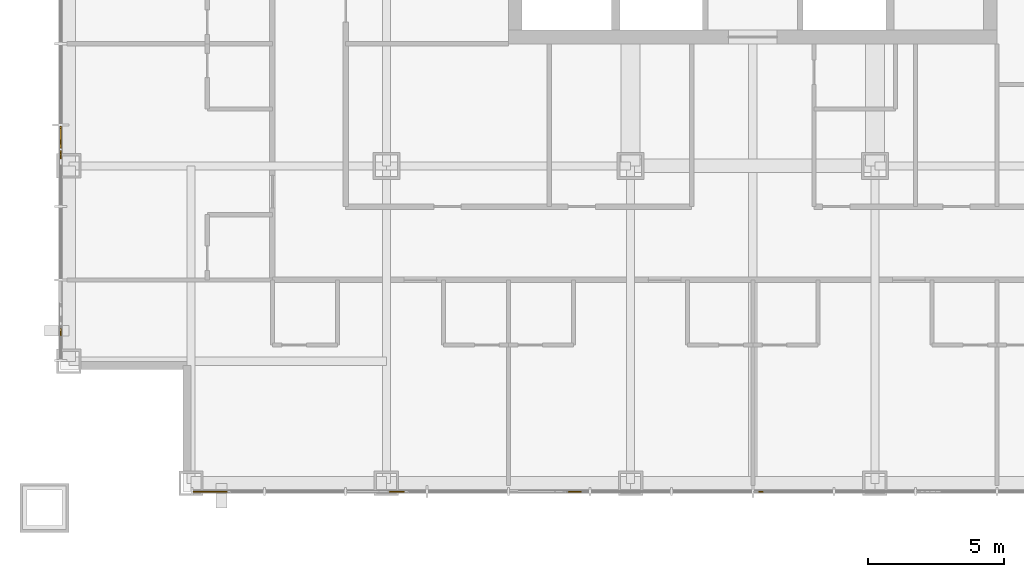
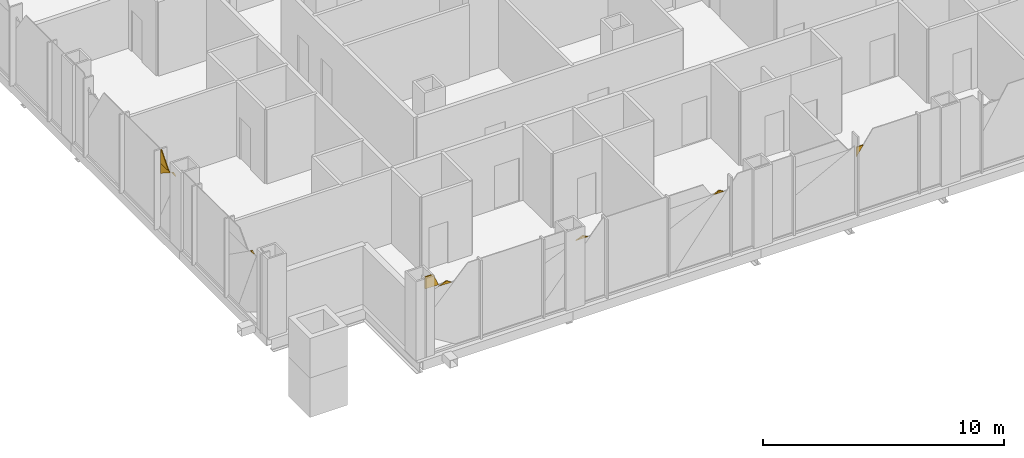
# One storey, part 15 of 23: 9 coverings.
"""IFC4 building model written with IfcOpenShell, lengths in metres."""

from ifc_helpers import new_model, si_unit, direction, frame, origin, place, context, subcontext, project, spatial, polyline, outline, extrude, material, layer, layer_set, type_object, element, save


model = new_model("IFC4")

# Units and contexts
model_context = context("Model", 3, precision=1e-05, world=origin(), true_north=direction((0.0, 1.0)))
body_context = subcontext(model_context, "Body", "Model", "MODEL_VIEW")
ifc_project = project(units=[si_unit("LENGTHUNIT", "METRE"), si_unit("AREAUNIT", "SQUARE_METRE"), si_unit("VOLUMEUNIT", "CUBIC_METRE"), si_unit("PLANEANGLEUNIT", "RADIAN"), si_unit("MASSUNIT", "GRAM", prefix="KILO")], contexts=[model_context])

# Site, building, storey
site_placement = place(None, origin())
site = spatial("IfcSite", under=ifc_project, at=site_placement, CompositionType="ELEMENT")
building_placement = place(site_placement, origin())
building = spatial("IfcBuilding", under=site, at=building_placement, Name="Malebo Sky Hospital", CompositionType="ELEMENT")
storey_placement = place(building_placement, frame((0.0, 0.0, 91.0)))
storey = spatial("IfcBuildingStorey", under=building, at=storey_placement, Name="L21", CompositionType="ELEMENT", Elevation=91.0)

# Coverings
ifc_material = material(Name="Anodised aluminium, natural silver insulated infill panel", Category="aluminium")
ifc_layer = layer(ifc_material, 0.0400390625)
ifc_layer_set = layer_set([ifc_layer], Name="BRACE INFILL PANEL 40")
covering_type = type_object("IfcCoveringType", Name="BRACE INFILL PANEL 40", PredefinedType="CLADDING", material=ifc_layer_set)
covering_1_placement = place(storey_placement, frame((34.5, 42.376220703125, 3.3779296875), z_axis=(0.0, 0.0, 1.0), x_axis=(0.0, 1.0, 0.0)))
element("IfcCovering", 1, at=covering_1_placement, inside=storey, type_object=covering_type, Name="Brace infill panel 1.4", PredefinedType="CLADDING", context=body_context, shape_type="SweptSolid", body=[
    extrude(outline(polyline([(-0.125732421875, 0.0), (0.125732421875, 0.0), (0.0390625, 0.061279296875), (-0.125732421875, 0.0)])), frame((0.0, 0.02001953125, 0.0), z_axis=(0.0, -1.0, 0.0), x_axis=(1.0, 0.0, 0.0)), (0.0, 0.0, 1.0), 0.0400390625),
])
covering_2_placement = place(storey_placement, frame((34.5, 49.560791015625, 2.779296875), z_axis=(0.0, 0.0, 1.0), x_axis=(0.0, 1.0, 0.0)))
element("IfcCovering", 2, at=covering_2_placement, inside=storey, type_object=covering_type, Name="Brace infill panel 3.2", PredefinedType="CLADDING", context=body_context, shape_type="SweptSolid", body=[
    extrude(outline(polyline([(0.401611328125, 0.0), (0.401611328125, 0.51953125), (-0.40185546875, 0.51953125), (0.401611328125, 0.0)])), frame((0.0, 0.02001953125, 0.0), z_axis=(0.0, -1.0, 0.0), x_axis=(1.0, 0.0, 0.0)), (0.0, 0.0, 1.0), 0.0400390625),
])
covering_3_placement = place(storey_placement, frame((34.5, 49.6318359375, 3.298828125), z_axis=(0.0, 0.0, 1.0), x_axis=(0.0, 1.0, 0.0)))
element("IfcCovering", 3, at=covering_3_placement, inside=storey, type_object=covering_type, Name="Brace infill panel 3.3", PredefinedType="CLADDING", context=body_context, shape_type="SweptSolid", body=[
    extrude(outline(polyline([(-0.330810546875, 0.0), (0.33056640625, 0.0), (0.33056640625, 0.691162109375), (0.263427734375, 0.691162109375), (-0.330810546875, 0.0)])), frame((0.0, 0.02001953125, 0.0), z_axis=(0.0, -1.0, 0.0), x_axis=(1.0, 0.0, 0.0)), (0.0, 0.0, 1.0), 0.0400390625),
])
covering_4_placement = place(storey_placement, frame((34.5, 48.910400390625, 3.35986328125), z_axis=(0.0, 0.0, 1.0), x_axis=(0.0, 1.0, 0.0)))
element("IfcCovering", 4, at=covering_4_placement, inside=storey, type_object=covering_type, Name="Brace infill panel 3.4", PredefinedType="CLADDING", context=body_context, shape_type="SweptSolid", body=[
    extrude(outline(polyline([(-0.154052734375, 0.0), (0.154052734375, 0.0), (0.03271484375, 0.07861328125), (-0.154052734375, 0.0)])), frame((0.0, 0.02001953125, 0.0), z_axis=(0.0, -1.0, 0.0), x_axis=(1.0, 0.0, 0.0)), (0.0, 0.0, 1.0), 0.0400390625),
])
covering_5_placement = place(storey_placement, frame((60.20703125, 36.5, 2.8359375), z_axis=(0.0, 0.0, 1.0), x_axis=(-1.0, 0.0, 0.0)))
element("IfcCovering", 5, at=covering_5_placement, inside=storey, type_object=covering_type, Name="Brace infill panel 7.1", PredefinedType="CLADDING", context=body_context, shape_type="SweptSolid", body=[
    extrude(outline(polyline([(0.169677734375, 0.0), (0.169677734375, 0.490966796875), (-0.169677734375, 0.490966796875), (0.169677734375, 0.0)])), frame((0.0, 0.02001953125, 0.0), z_axis=(0.0, -1.0, 0.0), x_axis=(1.0, 0.0, 0.0)), (0.0, 0.0, 1.0), 0.0400390625),
])
covering_6_placement = place(storey_placement, frame((53.44580078125, 36.5, 3.31201171875), z_axis=(0.0, 0.0, 1.0), x_axis=(-1.0, 0.0, 0.0)))
element("IfcCovering", 6, at=covering_6_placement, inside=storey, type_object=covering_type, Name="Brace infill panel 10.4", PredefinedType="CLADDING", context=body_context, shape_type="SweptSolid", body=[
    extrude(outline(polyline([(-0.239990234375, 0.0), (0.23974609375, 0.0), (-0.02587890625, 0.125732421875), (-0.239990234375, 0.0)])), frame((0.0, 0.02001953125, 0.0), z_axis=(0.0, -1.0, 0.0), x_axis=(1.0, 0.0, 0.0)), (0.0, 0.0, 1.0), 0.0400390625),
])
covering_7_placement = place(storey_placement, frame((46.885009765625, 36.5, 3.298828125), z_axis=(0.0, 0.0, 1.0), x_axis=(-1.0, 0.0, 0.0)))
element("IfcCovering", 7, at=covering_7_placement, inside=storey, type_object=covering_type, Name="Brace infill panel 12.4", PredefinedType="CLADDING", context=body_context, shape_type="SweptSolid", body=[
    extrude(outline(polyline([(-0.27392578125, 0.0), (0.27392578125, 0.0), (-0.05810546875, 0.1396484375), (-0.27392578125, 0.0)])), frame((0.0, 0.02001953125, 0.0), z_axis=(0.0, -1.0, 0.0), x_axis=(1.0, 0.0, 0.0)), (0.0, 0.0, 1.0), 0.0400390625),
])
covering_8_placement = place(storey_placement, frame((39.699462890625, 36.5, 3.3779296875), z_axis=(0.0, 0.0, 1.0), x_axis=(-1.0, 0.0, 0.0)))
element("IfcCovering", 8, at=covering_8_placement, inside=storey, type_object=covering_type, Name="Brace infill panel 14.3", PredefinedType="CLADDING", context=body_context, shape_type="SweptSolid", body=[
    extrude(outline(polyline([(-0.324462890625, 0.0), (0.32421875, 0.0), (0.32421875, 0.612060546875), (-0.05615234375, 0.612060546875), (-0.324462890625, 0.0)])), frame((0.0, 0.02001953125, 0.0), z_axis=(0.0, -1.0, 0.0), x_axis=(1.0, 0.0, 0.0)), (0.0, 0.0, 1.0), 0.0400390625),
])
covering_9_placement = place(storey_placement, frame((40.31787109375, 36.5, 3.286865234375), z_axis=(0.0, 0.0, 1.0), x_axis=(-1.0, 0.0, 0.0)))
element("IfcCovering", 9, at=covering_9_placement, inside=storey, type_object=covering_type, Name="Brace infill panel 14.4", PredefinedType="CLADDING", context=body_context, shape_type="SweptSolid", body=[
    extrude(outline(polyline([(-0.31298828125, 0.0), (0.31298828125, 0.0), (-0.097412109375, 0.15234375), (-0.31298828125, 0.0)])), frame((0.0, 0.02001953125, 0.0), z_axis=(0.0, -1.0, 0.0), x_axis=(1.0, 0.0, 0.0)), (0.0, 0.0, 1.0), 0.0400390625),
])

save(model, "model.ifc")
